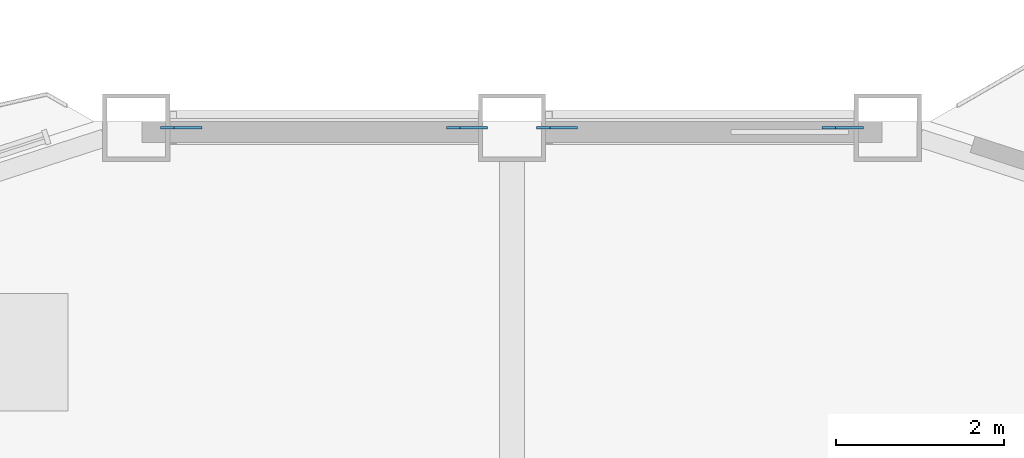
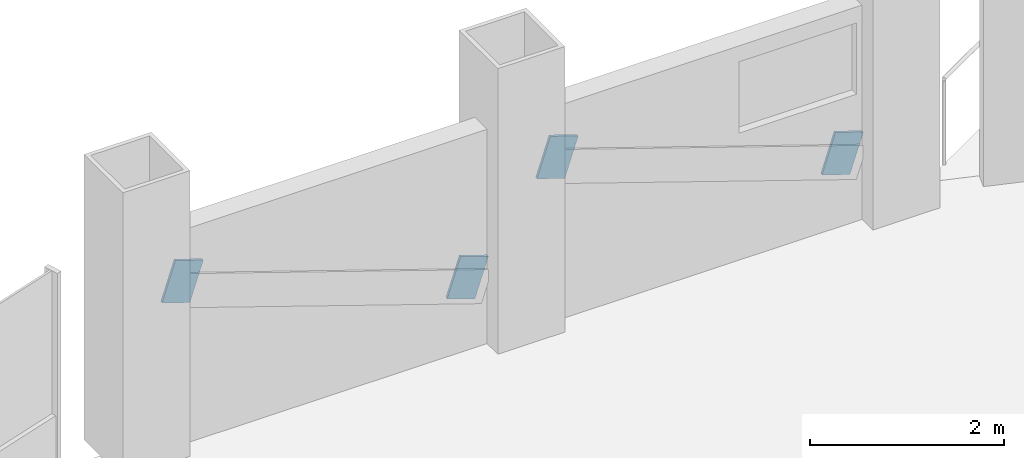
# One storey, part 18 of 23: 4 discrete accessories.
"""IFC4 building model written with IfcOpenShell, lengths in metres."""

from ifc_helpers import new_model, si_unit, direction, frame, origin, origin_2d, place, context, subcontext, project, spatial, rectangle, extrude, material, material_profile, profile_set, type_object, element, save


model = new_model("IFC4")

# Units and contexts
model_context = context("Model", 3, precision=1e-05, world=origin(), true_north=direction((0.0, 1.0)))
body_context = subcontext(model_context, "Body", "Model", "MODEL_VIEW")
ifc_project = project(units=[si_unit("LENGTHUNIT", "METRE"), si_unit("AREAUNIT", "SQUARE_METRE"), si_unit("VOLUMEUNIT", "CUBIC_METRE"), si_unit("PLANEANGLEUNIT", "RADIAN"), si_unit("MASSUNIT", "GRAM", prefix="KILO")], contexts=[model_context])

# Site, building, storey
site_placement = place(None, origin())
site = spatial("IfcSite", under=ifc_project, at=site_placement, CompositionType="ELEMENT")
building_placement = place(site_placement, origin())
building = spatial("IfcBuilding", under=site, at=building_placement, Name="Cormorant Prow Tower", CompositionType="ELEMENT")
storey_placement = place(building_placement, frame((0.0, 0.0, 183.60009765625)))
storey = spatial("IfcBuildingStorey", under=building, at=storey_placement, Name="L39", CompositionType="ELEMENT", Elevation=183.60009765625)

# Discrete accessories
ifc_material = material(Name="Structural steel ASTM A500 Gr C", Category="steel")
ifc_material_profile = material_profile(ifc_material, rectangle(XDim=0.031982421875, YDim=0.506103515625, at=origin_2d()), Name="Gusset plate 32x506")
ifc_profile_set = profile_set([ifc_material_profile], Name="Structural steel ASTM A500 Gr C")
discrete_accessory_type = type_object("IfcDiscreteAccessoryType", Name="Gusset plate 32x506", PredefinedType="BRACKET", material=ifc_profile_set)
for number, where, z_axis, x_axis, name in (
    (1, (3.768798828125, 32.3994140625, 0.83544921875), (0.948053578163, 0.0, -0.318110692893), (0.0, 1.0, 0.0), "Gusset plate GP2 L39.N00.g0"),
    (2, (0.701416015625, 32.3994140625, 1.865234375), (-0.948053578163, 0.0, 0.318110692893), (0.0, -1.0, 0.0), "Gusset plate GP2 L39.N00.g1"),
    (3, (-0.701416015625, 32.3994140625, 0.83544921875), (0.948053578163, 0.0, -0.318110692893), (0.0, 1.0, 0.0), "Gusset plate GP2 L39.N01.g0"),
    (4, (-3.768798828125, 32.3994140625, 1.865234375), (-0.948053578163, 0.0, 0.318110692893), (0.0, -1.0, 0.0), "Gusset plate GP2 L39.N01.g1"),
):
    element("IfcDiscreteAccessory", number, at=place(storey_placement, frame(where, z_axis=z_axis, x_axis=x_axis)), inside=storey, type_object=discrete_accessory_type, Name=name, PredefinedType="BRACKET", context=body_context, shape_type="SweptSolid", body=[
        extrude(rectangle(XDim=0.031982421875, YDim=0.506103515625, at=origin_2d()), origin(), (0.0, 0.0, 1.0), 0.349853515625),
    ])

save(model, "model.ifc")
